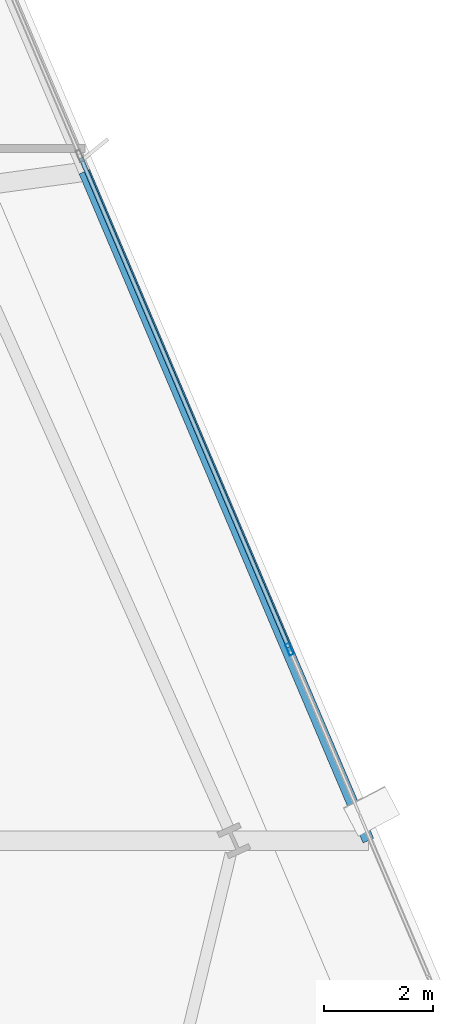
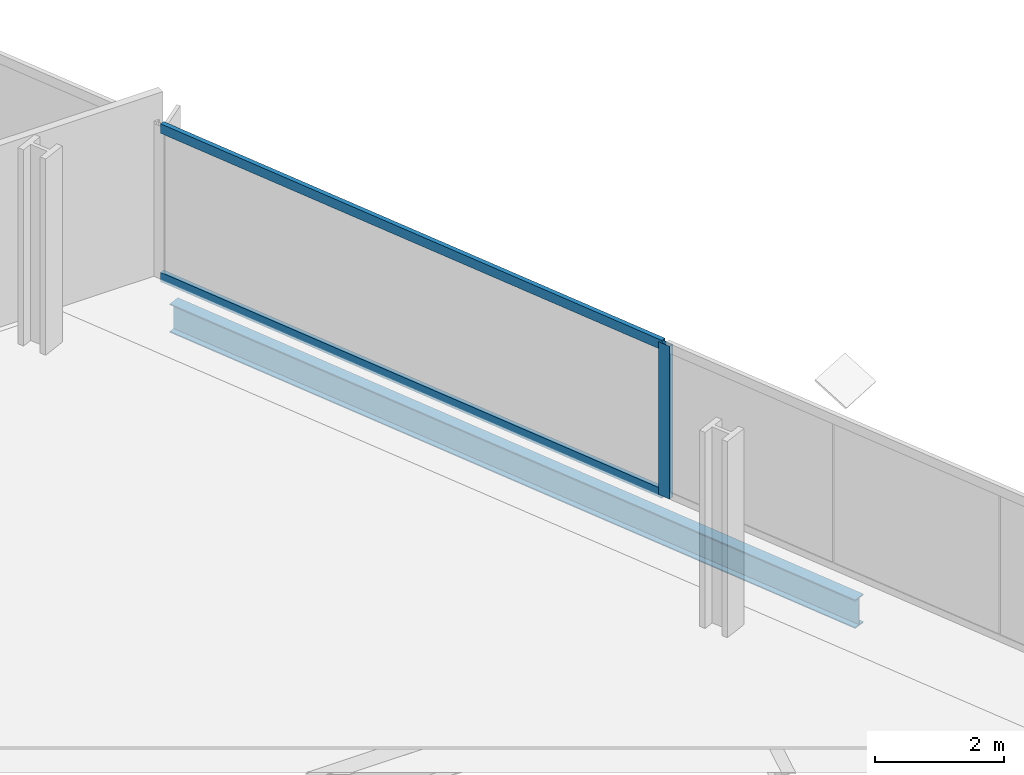
# One storey, part 20 of 34: 3 members, 1 beam, 1 element without a shape of its own.
"""IFC4 building model written with IfcOpenShell, lengths in metres."""

from ifc_helpers import new_model, si_unit, direction, frame, origin, origin_2d, place, context, subcontext, project, spatial, hollow_rectangle, i_section, extrude, material, material_profile, profile_set, type_object, element, aggregate, save


model = new_model("IFC4")

# Units and contexts
model_context = context("Model", 3, precision=1e-05, world=origin(), true_north=direction((0.0, 1.0)))
body_context = subcontext(model_context, "Body", "Model", "MODEL_VIEW")
ifc_project = project(units=[si_unit("LENGTHUNIT", "METRE"), si_unit("AREAUNIT", "SQUARE_METRE"), si_unit("VOLUMEUNIT", "CUBIC_METRE"), si_unit("PLANEANGLEUNIT", "RADIAN"), si_unit("MASSUNIT", "GRAM", prefix="KILO")], contexts=[model_context])

# Site, building, storey
site_placement = place(None, origin())
site = spatial("IfcSite", under=ifc_project, at=site_placement, CompositionType="ELEMENT")
building_placement = place(site_placement, origin())
building = spatial("IfcBuilding", under=site, at=building_placement, Name="Haldenkirk Collegiate Tower", CompositionType="ELEMENT")
storey_placement = place(building_placement, frame((0.0, 0.0, 105.449951171875)))
storey = spatial("IfcBuildingStorey", under=building, at=storey_placement, Name="L25", CompositionType="ELEMENT", Elevation=105.449951171875)

# Beam
ifc_material_1 = material(Name="Steel ASTM A992 Grade 50", Category="steel")
ifc_material_profile_1 = material_profile(ifc_material_1, i_section(OverallWidth=0.2119140625, OverallDepth=0.5439453125, WebThickness=0.01318359375, FlangeThickness=0.021240234375, at=origin_2d()), Name="W21X83")
ifc_profile_set_1 = profile_set([ifc_material_profile_1], Name="Steel ASTM A992 Grade 50")
beam_type = type_object("IfcBeamType", Name="BM-SPANDREL-W21X83", PredefinedType="SPANDREL", material=ifc_profile_set_1)
beam_placement = place(storey_placement, frame((65.07958984375, 23.727294921875, -0.572021484375), z_axis=(-0.390720243161, 0.920509473924, 0.0), x_axis=(-0.920509473924, -0.390720243161, 0.0)))
element("IfcBeam", 1, at=beam_placement, inside=storey, type_object=beam_type, Name="L25 outer facade edge beam 2A", PredefinedType="SPANDREL", context=body_context, shape_type="SweptSolid", body=[
    extrude(i_section(OverallWidth=0.2119140625, OverallDepth=0.5439453125, WebThickness=0.01318359375, FlangeThickness=0.021240234375, at=origin_2d()), origin(), (0.0, 0.0, 1.0), 13.356201171875),
])

# Curtain wall, members
ifc_material_2 = material(Name="Anodised architectural bronze aluminium", Category="aluminium")
curtain_wall_type = type_object("IfcCurtainWallType", Name="CW-SYS1-CONVEX-LOW", PredefinedType="USERDEFINED", material=ifc_material_2)
curtain_wall_placement = place(storey_placement, origin())
curtain_wall = element("IfcCurtainWall", 2, at=curtain_wall_placement, inside=storey, type_object=curtain_wall_type, Name="L25 Lower tower convex bronze-framed unitised curtain wall", ObjectType="UNITISED CURTAIN WALL", PredefinedType="USERDEFINED")
ifc_material_profile_2 = material_profile(ifc_material_2, hollow_rectangle(XDim=0.080078125, YDim=0.219970703125, WallThickness=0.0048828125, at=origin_2d()), Name="CW-MUL-1A")
ifc_profile_set_2 = profile_set([ifc_material_profile_2], Name="Anodised architectural bronze aluminium")
member_type_1 = type_object("IfcMemberType", Name="CW-MUL-1A", PredefinedType="MULLION", material=ifc_profile_set_2)
member_1_placement = place(storey_placement, frame((63.630126953125, 27.244873046875, 0.0), z_axis=(0.0, 0.0, 1.0), x_axis=(0.920505471827, 0.390729671687, 0.0)))
member_1 = element("IfcMember", 3, at=member_1_placement, type_object=member_type_1, Name="CW-1A mullion 4", PredefinedType="MULLION", context=body_context, shape_type="SweptSolid", body=[
    extrude(hollow_rectangle(XDim=0.080078125, YDim=0.219970703125, WallThickness=0.0048828125, at=origin_2d()), origin(), (0.0, 0.0, 1.0), 2.901123046875),
])
ifc_material_profile_3 = material_profile(ifc_material_2, hollow_rectangle(XDim=0.080078125, YDim=0.179931640625, WallThickness=0.0048828125, at=origin_2d()), Name="CW-TRN-1A")
ifc_profile_set_3 = profile_set([ifc_material_profile_3], Name="Anodised architectural bronze aluminium")
member_type_2 = type_object("IfcMemberType", Name="CW-TRN-1A", PredefinedType="USERDEFINED", material=ifc_profile_set_3)
member_2_placement = place(storey_placement, frame((59.796875, 36.275146484375, 0.0400390625), z_axis=(0.390744281289, -0.920499270309, 0.0), x_axis=(0.920499270309, 0.390744281289, 0.0)))
member_2 = element("IfcMember", 4, at=member_2_placement, type_object=member_type_2, Name="CW-1A transom 3.1", ObjectType="TRANSOM", PredefinedType="USERDEFINED", context=body_context, shape_type="SweptSolid", body=[
    extrude(hollow_rectangle(XDim=0.080078125, YDim=0.179931640625, WallThickness=0.0048828125, at=origin_2d()), origin(), (0.0, 0.0, 1.0), 9.77001953125),
])
member_3_placement = place(storey_placement, frame((59.796875, 36.275146484375, 2.861083984375), z_axis=(0.390744281289, -0.920499270309, 0.0), x_axis=(0.920499270309, 0.390744281289, 0.0)))
member_3 = element("IfcMember", 5, at=member_3_placement, type_object=member_type_2, Name="CW-1A transom 3.2", ObjectType="TRANSOM", PredefinedType="USERDEFINED", context=body_context, shape_type="SweptSolid", body=[
    extrude(hollow_rectangle(XDim=0.080078125, YDim=0.179931640625, WallThickness=0.0048828125, at=origin_2d()), origin(), (0.0, 0.0, 1.0), 9.77001953125),
])
aggregate(curtain_wall, [member_1, member_2, member_3])

save(model, "model.ifc")
